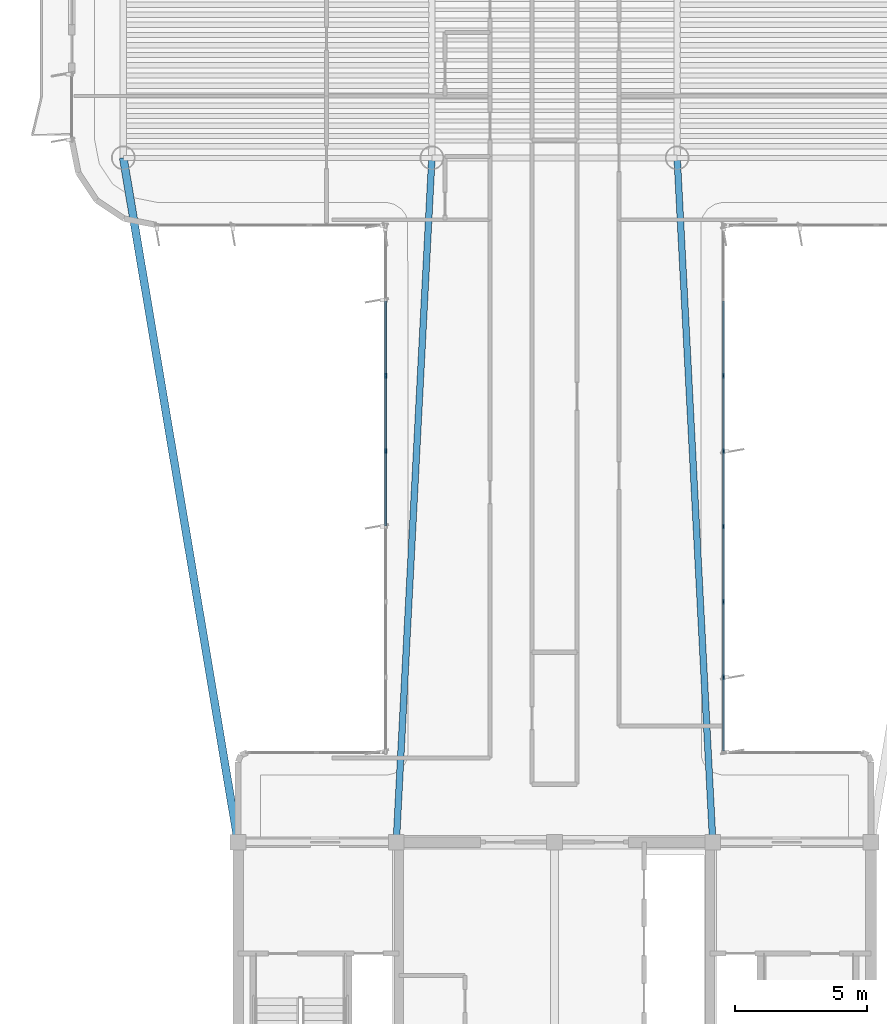
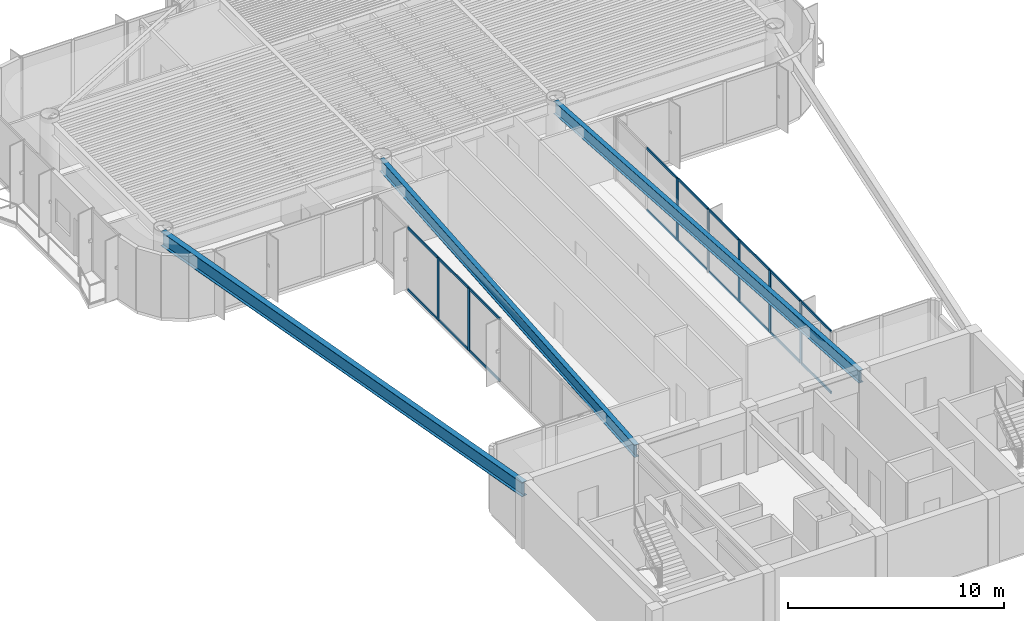
# One storey, part 3 of 15: 25 members, 3 beams, 2 elements without a shape of their own.
"""IFC4 building model written with IfcOpenShell, lengths in metres."""

from ifc_helpers import new_model, si_unit, direction, frame, origin, origin_2d, place, context, subcontext, project, spatial, rectangle, i_section, extrude, source, transform, mapped, material, layer, layer_set, material_profile, profile_set, type_object, element, aggregate, save


model = new_model("IFC4")

# Units and contexts
model_context = context("Model", 3, precision=1e-05, world=origin(), true_north=direction((0.0, 1.0)))
body_context = subcontext(model_context, "Body", "Model", "MODEL_VIEW")
ifc_project = project(units=[si_unit("LENGTHUNIT", "METRE"), si_unit("AREAUNIT", "SQUARE_METRE"), si_unit("VOLUMEUNIT", "CUBIC_METRE"), si_unit("PLANEANGLEUNIT", "RADIAN"), si_unit("MASSUNIT", "GRAM", prefix="KILO")], contexts=[model_context])

# Site, building, storey
site_placement = place(None, origin())
site = spatial("IfcSite", under=ifc_project, at=site_placement, CompositionType="ELEMENT")
building_placement = place(site_placement, origin())
building = spatial("IfcBuilding", under=site, at=building_placement, Name="Brelvock Crest Care Tower", CompositionType="ELEMENT")
storey_placement = place(building_placement, frame((0.0, 0.0, 264.60009765625)))
storey = spatial("IfcBuildingStorey", under=building, at=storey_placement, Name="L67", CompositionType="ELEMENT", Elevation=264.60009765625)

# Beams
ifc_material_1 = material(Name="Steel Grade 350", Category="steel")
ifc_material_profile_1 = material_profile(ifc_material_1, i_section(OverallWidth=0.25, OverallDepth=0.699951171875, WebThickness=0.011962890625, FlangeThickness=0.02001953125, at=origin_2d()), Name="700WB150")
ifc_profile_set_1 = profile_set([ifc_material_profile_1], Name="Steel Grade 350")
beam_type_1 = type_object("IfcBeamType", Name="BM-G4", PredefinedType="BEAM", material=ifc_profile_set_1)
shared_shape_1 = source(origin(), body_context, "Body", "SweptSolid", [
    extrude(i_section(OverallWidth=0.25, OverallDepth=0.699951171875, WebThickness=0.011962890625, FlangeThickness=0.02001953125, at=origin_2d()), origin(), (0.0, 0.0, 1.0), 25.985107421875),
])
for number, where, z_axis, x_axis, name in (
    (1, (30.0, 18.0, 3.179931640625), (0.051956711656, 0.998649337913, 0.0), (-0.998649337913, 0.051956711656, 0.0), "BM-THRW-L67"),
    (2, (42.0, 18.0, 3.179931640625), (-0.051956711656, 0.998649337913, 0.0), (-0.998649337913, -0.051956711656, 0.0), "BM-THRE-L67"),
):
    element("IfcBeam", number, at=place(storey_placement, frame(where, z_axis=z_axis, x_axis=x_axis)), inside=storey, type_object=beam_type_1, Name=name, PredefinedType="BEAM", context=body_context, shape_type="MappedRepresentation", body=[
        mapped(shared_shape_1, transform((0.0, 0.0, 0.0), x_axis=(1.0, 0.0, 0.0), y_axis=(0.0, 1.0, 0.0), z_axis=(0.0, 0.0, 1.0), scale=1.0)),
    ])
ifc_material_profile_2 = material_profile(ifc_material_1, i_section(OverallWidth=0.300048828125, OverallDepth=0.800048828125, WebThickness=0.013916015625, FlangeThickness=0.02197265625, at=origin_2d()), Name="800WB192")
ifc_profile_set_2 = profile_set([ifc_material_profile_2], Name="Steel Grade 350")
beam_type_2 = type_object("IfcBeamType", Name="BM-G5", PredefinedType="BEAM", material=ifc_profile_set_2)
shared_shape_2 = source(origin(), body_context, "Body", "SweptSolid", [
    extrude(i_section(OverallWidth=0.300048828125, OverallDepth=0.800048828125, WebThickness=0.013916015625, FlangeThickness=0.02197265625, at=origin_2d()), origin(), (0.0, 0.0, 1.0), 26.31201171875),
])
beam_placement = place(storey_placement, frame((24.0, 18.0, 3.1298828125), z_axis=(-0.165327282709, 0.986238758918, 0.0), x_axis=(-0.986238758918, -0.165327282709, 0.0)))
element("IfcBeam", 3, at=beam_placement, inside=storey, type_object=beam_type_2, Name="BM-THRO-W-L67", PredefinedType="BEAM", context=body_context, shape_type="MappedRepresentation", body=[
    mapped(shared_shape_2, transform((0.0, 0.0, 0.0), x_axis=(1.0, 0.0, 0.0), y_axis=(0.0, 1.0, 0.0), z_axis=(0.0, 0.0, 1.0), scale=1.0)),
])

# Curtain wall, members
ifc_material_2 = material(Name="Dark Glass Double Glazed Low-E", Category="glass")
ifc_layer = layer(ifc_material_2, 0.239990234375, Name="CWS-5")
ifc_layer_set = layer_set([ifc_layer], Name="Dark Glass Double Glazed Low-E")
curtain_wall_type = type_object("IfcCurtainWallType", Name="CWS-5", PredefinedType="NOTDEFINED", material=ifc_layer_set)
curtain_wall_1_placement = place(storey_placement, origin())
curtain_wall_1 = element("IfcCurtainWall", 4, at=curtain_wall_1_placement, inside=storey, type_object=curtain_wall_type, Name="L67 Curtain Wall E11", PredefinedType="NOTDEFINED")
ifc_material_3 = material(Name="Aluminium 6063-T6", Category="aluminium")
ifc_material_profile_3 = material_profile(ifc_material_3, rectangle(XDim=0.06005859375, YDim=0.179931640625, at=origin_2d()), Name="ALU60x180")
ifc_profile_set_3 = profile_set([ifc_material_profile_3], Name="Aluminium 6063-T6")
member_type_1 = type_object("IfcMemberType", Name="CWM-2", PredefinedType="MULLION", material=ifc_profile_set_3)
shared_shape_3 = source(origin(), body_context, "Body", "SweptSolid", [
    extrude(rectangle(XDim=0.06005859375, YDim=0.179931640625, at=origin_2d()), origin(), (0.0, 0.0, 1.0), 3.52978515625),
])
member_1_placement = place(storey_placement, frame((29.60009765625, 32.82861328125, 0.0), z_axis=(0.0, 0.0, 1.0), x_axis=(-1.0, 0.0, 0.0)))
member_1 = element("IfcMember", 5, at=member_1_placement, type_object=member_type_1, Name="CW-5 mullion 5", PredefinedType="MULLION", context=body_context, shape_type="MappedRepresentation", body=[
    mapped(shared_shape_3, transform((0.0, 0.0, 0.0), x_axis=(1.0, 0.0, 0.0), y_axis=(0.0, 1.0, 0.0), z_axis=(0.0, 0.0, 1.0), scale=1.0)),
])
member_2_placement = place(storey_placement, frame((29.60009765625, 35.685791015625, 0.0), z_axis=(0.0, 0.0, 1.0), x_axis=(-1.0, 0.0, 0.0)))
member_2 = element("IfcMember", 6, at=member_2_placement, type_object=member_type_1, Name="CW-5 mullion 6", PredefinedType="MULLION", context=body_context, shape_type="MappedRepresentation", body=[
    mapped(shared_shape_3, transform((0.0, 0.0, 0.0), x_axis=(1.0, 0.0, 0.0), y_axis=(0.0, 1.0, 0.0), z_axis=(0.0, 0.0, 1.0), scale=1.0)),
])

curtain_wall_2_placement = place(storey_placement, origin())
curtain_wall_2 = element("IfcCurtainWall", 7, at=curtain_wall_2_placement, inside=storey, type_object=curtain_wall_type, Name="L67 Curtain Wall E45", PredefinedType="NOTDEFINED")
member_3_placement = place(storey_placement, frame((42.39990234375, 35.685791015625, 0.0), z_axis=(0.0, 0.0, 1.0), x_axis=(1.0, 0.0, 0.0)))
member_3 = element("IfcMember", 8, at=member_3_placement, type_object=member_type_1, Name="CW-5 mullion 3", PredefinedType="MULLION", context=body_context, shape_type="MappedRepresentation", body=[
    mapped(shared_shape_3, transform((0.0, 0.0, 0.0), x_axis=(1.0, 0.0, 0.0), y_axis=(0.0, 1.0, 0.0), z_axis=(0.0, 0.0, 1.0), scale=1.0)),
])
member_4_placement = place(storey_placement, frame((42.39990234375, 32.82861328125, 0.0), z_axis=(0.0, 0.0, 1.0), x_axis=(1.0, 0.0, 0.0)))
member_4 = element("IfcMember", 9, at=member_4_placement, type_object=member_type_1, Name="CW-5 mullion 4", PredefinedType="MULLION", context=body_context, shape_type="MappedRepresentation", body=[
    mapped(shared_shape_3, transform((0.0, 0.0, 0.0), x_axis=(1.0, 0.0, 0.0), y_axis=(0.0, 1.0, 0.0), z_axis=(0.0, 0.0, 1.0), scale=1.0)),
])
member_5_placement = place(storey_placement, frame((42.39990234375, 29.971435546875, 0.0), z_axis=(0.0, 0.0, 1.0), x_axis=(1.0, 0.0, 0.0)))
member_5 = element("IfcMember", 10, at=member_5_placement, type_object=member_type_1, Name="CW-5 mullion 5", PredefinedType="MULLION", context=body_context, shape_type="MappedRepresentation", body=[
    mapped(shared_shape_3, transform((0.0, 0.0, 0.0), x_axis=(1.0, 0.0, 0.0), y_axis=(0.0, 1.0, 0.0), z_axis=(0.0, 0.0, 1.0), scale=1.0)),
])
member_6_placement = place(storey_placement, frame((42.39990234375, 27.1142578125, 0.0), z_axis=(0.0, 0.0, 1.0), x_axis=(1.0, 0.0, 0.0)))
member_6 = element("IfcMember", 11, at=member_6_placement, type_object=member_type_1, Name="CW-5 mullion 6", PredefinedType="MULLION", context=body_context, shape_type="MappedRepresentation", body=[
    mapped(shared_shape_3, transform((0.0, 0.0, 0.0), x_axis=(1.0, 0.0, 0.0), y_axis=(0.0, 1.0, 0.0), z_axis=(0.0, 0.0, 1.0), scale=1.0)),
])
member_7_placement = place(storey_placement, frame((42.39990234375, 24.257080078125, 0.0), z_axis=(0.0, 0.0, 1.0), x_axis=(1.0, 0.0, 0.0)))
member_7 = element("IfcMember", 12, at=member_7_placement, type_object=member_type_1, Name="CW-5 mullion 7", PredefinedType="MULLION", context=body_context, shape_type="MappedRepresentation", body=[
    mapped(shared_shape_3, transform((0.0, 0.0, 0.0), x_axis=(1.0, 0.0, 0.0), y_axis=(0.0, 1.0, 0.0), z_axis=(0.0, 0.0, 1.0), scale=1.0)),
])
ifc_material_profile_4 = material_profile(ifc_material_3, rectangle(XDim=0.06005859375, YDim=0.139892578125, at=origin_2d()), Name="ALU60x140")
ifc_profile_set_4 = profile_set([ifc_material_profile_4], Name="Aluminium 6063-T6")
member_type_2 = type_object("IfcMemberType", Name="CWT-2", PredefinedType="USERDEFINED", material=ifc_profile_set_4)
shared_shape_4 = source(origin(), body_context, "Body", "SweptSolid", [
    extrude(rectangle(XDim=0.06005859375, YDim=0.139892578125, at=origin_2d()), origin(), (0.0, 0.0, 1.0), 2.76708984375),
])
member_8_placement = place(storey_placement, frame((42.39990234375, 24.22705078125, 0.02978515625), z_axis=(0.0, -1.0, 0.0), x_axis=(1.0, 0.0, 0.0)))
member_8 = element("IfcMember", 13, at=member_8_placement, type_object=member_type_2, Name="CW-5 transom 7.1", ObjectType="TRANSOM", PredefinedType="USERDEFINED", context=body_context, shape_type="MappedRepresentation", body=[
    mapped(shared_shape_4, transform((0.0, 0.0, 0.0), x_axis=(1.0, 0.0, 0.0), y_axis=(0.0, 1.0, 0.0), z_axis=(0.0, 0.0, 1.0), scale=1.0)),
])
member_9_placement = place(storey_placement, frame((42.39990234375, 24.22705078125, 3.5), z_axis=(0.0, -1.0, 0.0), x_axis=(1.0, 0.0, 0.0)))
member_9 = element("IfcMember", 14, at=member_9_placement, type_object=member_type_2, Name="CW-5 transom 7.2", ObjectType="TRANSOM", PredefinedType="USERDEFINED", context=body_context, shape_type="MappedRepresentation", body=[
    mapped(shared_shape_4, transform((0.0, 0.0, 0.0), x_axis=(1.0, 0.0, 0.0), y_axis=(0.0, 1.0, 0.0), z_axis=(0.0, 0.0, 1.0), scale=1.0)),
])

# Member
shared_shape_5 = source(origin(), body_context, "Body", "SweptSolid", [
    extrude(rectangle(XDim=0.06005859375, YDim=0.139892578125, at=origin_2d()), origin(), (0.0, 0.0, 1.0), 2.797119140625),
])
member_10_placement = place(storey_placement, frame((29.60009765625, 30.00146484375, 0.02978515625), z_axis=(0.0, 1.0, 0.0), x_axis=(-1.0, 0.0, 0.0)))
member_10 = element("IfcMember", 15, at=member_10_placement, type_object=member_type_2, Name="CW-5 transom 4.1", ObjectType="TRANSOM", PredefinedType="USERDEFINED", context=body_context, shape_type="MappedRepresentation", body=[
    mapped(shared_shape_5, transform((0.0, 0.0, 0.0), x_axis=(1.0, 0.0, 0.0), y_axis=(0.0, 1.0, 0.0), z_axis=(0.0, 0.0, 1.0), scale=1.0)),
])

member_11_placement = place(storey_placement, frame((29.60009765625, 30.00146484375, 3.5), z_axis=(0.0, 1.0, 0.0), x_axis=(-1.0, 0.0, 0.0)))
member_11 = element("IfcMember", 16, at=member_11_placement, type_object=member_type_2, Name="CW-5 transom 4.2", ObjectType="TRANSOM", PredefinedType="USERDEFINED", context=body_context, shape_type="MappedRepresentation", body=[
    mapped(shared_shape_5, transform((0.0, 0.0, 0.0), x_axis=(1.0, 0.0, 0.0), y_axis=(0.0, 1.0, 0.0), z_axis=(0.0, 0.0, 1.0), scale=1.0)),
])

member_12_placement = place(storey_placement, frame((29.60009765625, 32.858642578125, 0.02978515625), z_axis=(0.0, 1.0, 0.0), x_axis=(-1.0, 0.0, 0.0)))
member_12 = element("IfcMember", 17, at=member_12_placement, type_object=member_type_2, Name="CW-5 transom 5.1", ObjectType="TRANSOM", PredefinedType="USERDEFINED", context=body_context, shape_type="MappedRepresentation", body=[
    mapped(shared_shape_5, transform((0.0, 0.0, 0.0), x_axis=(1.0, 0.0, 0.0), y_axis=(0.0, 1.0, 0.0), z_axis=(0.0, 0.0, 1.0), scale=1.0)),
])

member_13_placement = place(storey_placement, frame((29.60009765625, 32.858642578125, 3.5), z_axis=(0.0, 1.0, 0.0), x_axis=(-1.0, 0.0, 0.0)))
member_13 = element("IfcMember", 18, at=member_13_placement, type_object=member_type_2, Name="CW-5 transom 5.2", ObjectType="TRANSOM", PredefinedType="USERDEFINED", context=body_context, shape_type="MappedRepresentation", body=[
    mapped(shared_shape_5, transform((0.0, 0.0, 0.0), x_axis=(1.0, 0.0, 0.0), y_axis=(0.0, 1.0, 0.0), z_axis=(0.0, 0.0, 1.0), scale=1.0)),
])

member_14_placement = place(storey_placement, frame((29.60009765625, 35.7158203125, 0.02978515625), z_axis=(0.0, 1.0, 0.0), x_axis=(-1.0, 0.0, 0.0)))
member_14 = element("IfcMember", 19, at=member_14_placement, type_object=member_type_2, Name="CW-5 transom 6.1", ObjectType="TRANSOM", PredefinedType="USERDEFINED", context=body_context, shape_type="MappedRepresentation", body=[
    mapped(shared_shape_5, transform((0.0, 0.0, 0.0), x_axis=(1.0, 0.0, 0.0), y_axis=(0.0, 1.0, 0.0), z_axis=(0.0, 0.0, 1.0), scale=1.0)),
])

member_15_placement = place(storey_placement, frame((29.60009765625, 35.7158203125, 3.5), z_axis=(0.0, 1.0, 0.0), x_axis=(-1.0, 0.0, 0.0)))
member_15 = element("IfcMember", 20, at=member_15_placement, type_object=member_type_2, Name="CW-5 transom 6.2", ObjectType="TRANSOM", PredefinedType="USERDEFINED", context=body_context, shape_type="MappedRepresentation", body=[
    mapped(shared_shape_5, transform((0.0, 0.0, 0.0), x_axis=(1.0, 0.0, 0.0), y_axis=(0.0, 1.0, 0.0), z_axis=(0.0, 0.0, 1.0), scale=1.0)),
])

aggregate(curtain_wall_1, [member_1, member_2, member_10, member_11, member_12, member_13, member_14, member_15])

member_16_placement = place(storey_placement, frame((42.39990234375, 38.512939453125, 0.02978515625), z_axis=(0.0, -1.0, 0.0), x_axis=(1.0, 0.0, 0.0)))
member_16 = element("IfcMember", 21, at=member_16_placement, type_object=member_type_2, Name="CW-5 transom 2.1", ObjectType="TRANSOM", PredefinedType="USERDEFINED", context=body_context, shape_type="MappedRepresentation", body=[
    mapped(shared_shape_5, transform((0.0, 0.0, 0.0), x_axis=(1.0, 0.0, 0.0), y_axis=(0.0, 1.0, 0.0), z_axis=(0.0, 0.0, 1.0), scale=1.0)),
])

member_17_placement = place(storey_placement, frame((42.39990234375, 38.512939453125, 3.5), z_axis=(0.0, -1.0, 0.0), x_axis=(1.0, 0.0, 0.0)))
member_17 = element("IfcMember", 22, at=member_17_placement, type_object=member_type_2, Name="CW-5 transom 2.2", ObjectType="TRANSOM", PredefinedType="USERDEFINED", context=body_context, shape_type="MappedRepresentation", body=[
    mapped(shared_shape_5, transform((0.0, 0.0, 0.0), x_axis=(1.0, 0.0, 0.0), y_axis=(0.0, 1.0, 0.0), z_axis=(0.0, 0.0, 1.0), scale=1.0)),
])

member_18_placement = place(storey_placement, frame((42.39990234375, 35.65576171875, 0.02978515625), z_axis=(0.0, -1.0, 0.0), x_axis=(1.0, 0.0, 0.0)))
member_18 = element("IfcMember", 23, at=member_18_placement, type_object=member_type_2, Name="CW-5 transom 3.1", ObjectType="TRANSOM", PredefinedType="USERDEFINED", context=body_context, shape_type="MappedRepresentation", body=[
    mapped(shared_shape_5, transform((0.0, 0.0, 0.0), x_axis=(1.0, 0.0, 0.0), y_axis=(0.0, 1.0, 0.0), z_axis=(0.0, 0.0, 1.0), scale=1.0)),
])

member_19_placement = place(storey_placement, frame((42.39990234375, 35.65576171875, 3.5), z_axis=(0.0, -1.0, 0.0), x_axis=(1.0, 0.0, 0.0)))
member_19 = element("IfcMember", 24, at=member_19_placement, type_object=member_type_2, Name="CW-5 transom 3.2", ObjectType="TRANSOM", PredefinedType="USERDEFINED", context=body_context, shape_type="MappedRepresentation", body=[
    mapped(shared_shape_5, transform((0.0, 0.0, 0.0), x_axis=(1.0, 0.0, 0.0), y_axis=(0.0, 1.0, 0.0), z_axis=(0.0, 0.0, 1.0), scale=1.0)),
])

member_20_placement = place(storey_placement, frame((42.39990234375, 32.798583984375, 0.02978515625), z_axis=(0.0, -1.0, 0.0), x_axis=(1.0, 0.0, 0.0)))
member_20 = element("IfcMember", 25, at=member_20_placement, type_object=member_type_2, Name="CW-5 transom 4.1", ObjectType="TRANSOM", PredefinedType="USERDEFINED", context=body_context, shape_type="MappedRepresentation", body=[
    mapped(shared_shape_5, transform((0.0, 0.0, 0.0), x_axis=(1.0, 0.0, 0.0), y_axis=(0.0, 1.0, 0.0), z_axis=(0.0, 0.0, 1.0), scale=1.0)),
])

member_21_placement = place(storey_placement, frame((42.39990234375, 32.798583984375, 3.5), z_axis=(0.0, -1.0, 0.0), x_axis=(1.0, 0.0, 0.0)))
member_21 = element("IfcMember", 26, at=member_21_placement, type_object=member_type_2, Name="CW-5 transom 4.2", ObjectType="TRANSOM", PredefinedType="USERDEFINED", context=body_context, shape_type="MappedRepresentation", body=[
    mapped(shared_shape_5, transform((0.0, 0.0, 0.0), x_axis=(1.0, 0.0, 0.0), y_axis=(0.0, 1.0, 0.0), z_axis=(0.0, 0.0, 1.0), scale=1.0)),
])

member_22_placement = place(storey_placement, frame((42.39990234375, 29.94140625, 0.02978515625), z_axis=(0.0, -1.0, 0.0), x_axis=(1.0, 0.0, 0.0)))
member_22 = element("IfcMember", 27, at=member_22_placement, type_object=member_type_2, Name="CW-5 transom 5.1", ObjectType="TRANSOM", PredefinedType="USERDEFINED", context=body_context, shape_type="MappedRepresentation", body=[
    mapped(shared_shape_5, transform((0.0, 0.0, 0.0), x_axis=(1.0, 0.0, 0.0), y_axis=(0.0, 1.0, 0.0), z_axis=(0.0, 0.0, 1.0), scale=1.0)),
])

member_23_placement = place(storey_placement, frame((42.39990234375, 29.94140625, 3.5), z_axis=(0.0, -1.0, 0.0), x_axis=(1.0, 0.0, 0.0)))
member_23 = element("IfcMember", 28, at=member_23_placement, type_object=member_type_2, Name="CW-5 transom 5.2", ObjectType="TRANSOM", PredefinedType="USERDEFINED", context=body_context, shape_type="MappedRepresentation", body=[
    mapped(shared_shape_5, transform((0.0, 0.0, 0.0), x_axis=(1.0, 0.0, 0.0), y_axis=(0.0, 1.0, 0.0), z_axis=(0.0, 0.0, 1.0), scale=1.0)),
])

member_24_placement = place(storey_placement, frame((42.39990234375, 27.084228515625, 0.02978515625), z_axis=(0.0, -1.0, 0.0), x_axis=(1.0, 0.0, 0.0)))
member_24 = element("IfcMember", 29, at=member_24_placement, type_object=member_type_2, Name="CW-5 transom 6.1", ObjectType="TRANSOM", PredefinedType="USERDEFINED", context=body_context, shape_type="MappedRepresentation", body=[
    mapped(shared_shape_5, transform((0.0, 0.0, 0.0), x_axis=(1.0, 0.0, 0.0), y_axis=(0.0, 1.0, 0.0), z_axis=(0.0, 0.0, 1.0), scale=1.0)),
])

member_25_placement = place(storey_placement, frame((42.39990234375, 27.084228515625, 3.5), z_axis=(0.0, -1.0, 0.0), x_axis=(1.0, 0.0, 0.0)))
member_25 = element("IfcMember", 30, at=member_25_placement, type_object=member_type_2, Name="CW-5 transom 6.2", ObjectType="TRANSOM", PredefinedType="USERDEFINED", context=body_context, shape_type="MappedRepresentation", body=[
    mapped(shared_shape_5, transform((0.0, 0.0, 0.0), x_axis=(1.0, 0.0, 0.0), y_axis=(0.0, 1.0, 0.0), z_axis=(0.0, 0.0, 1.0), scale=1.0)),
])

aggregate(curtain_wall_2, [member_3, member_4, member_5, member_6, member_7, member_16, member_17, member_18, member_19, member_20, member_21, member_22, member_23, member_24, member_25, member_8, member_9])

save(model, "model.ifc")
